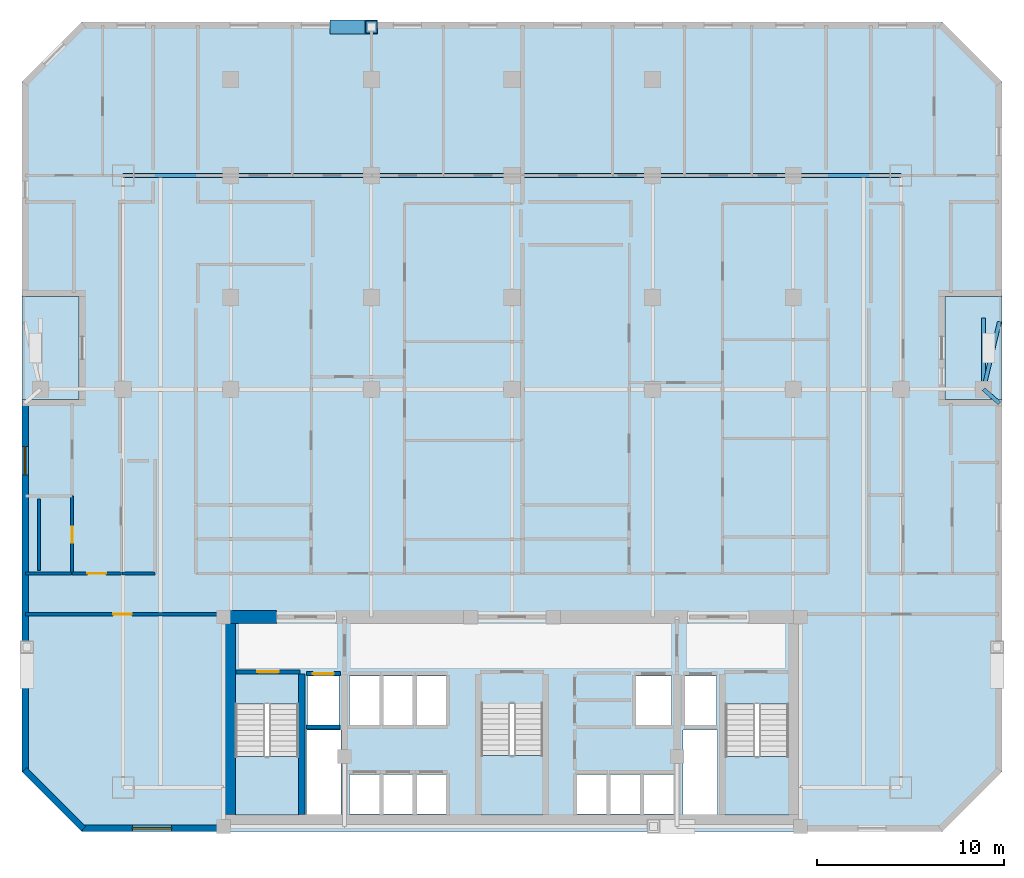
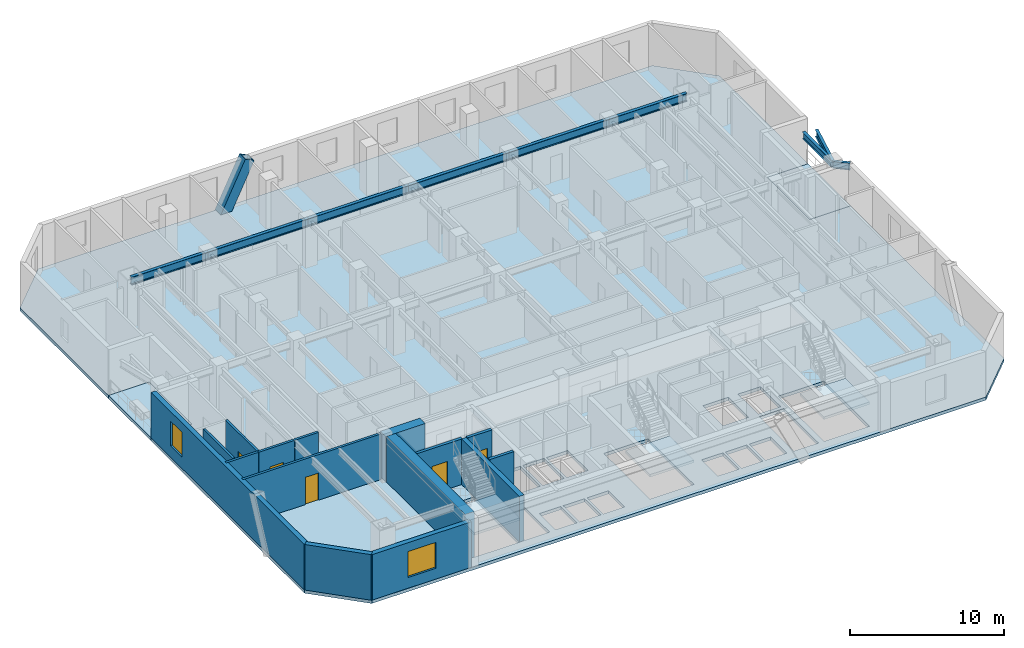
# One storey, part 2 of 10: 15 walls, 9 beams, 6 slabs, 5 doors, 2 windows, 1 member, 7 openings, 3 elements without a shape of their own.
"""IFC4 building model written with IfcOpenShell, lengths in metres."""

from ifc_helpers import new_model, si_unit, direction, frame, frame_2d, origin, origin_2d, place, context, subcontext, project, spatial, polyline, rectangle, hollow_rectangle, i_section, outline, extrude, material, layer, layer_set, material_profile, profile_set, type_object, element, fill, aggregate, save


model = new_model("IFC4")

# Units and contexts
model_context = context("Model", 3, precision=1e-05, world=origin(), true_north=direction((0.0, 1.0)))
body_context = subcontext(model_context, "Body", "Model", "MODEL_VIEW")
ifc_project = project(units=[si_unit("LENGTHUNIT", "METRE"), si_unit("AREAUNIT", "SQUARE_METRE"), si_unit("VOLUMEUNIT", "CUBIC_METRE"), si_unit("PLANEANGLEUNIT", "RADIAN"), si_unit("MASSUNIT", "GRAM", prefix="KILO")], contexts=[model_context])

# Site, building, storey
site_placement = place(None, origin())
site = spatial("IfcSite", under=ifc_project, at=site_placement, CompositionType="ELEMENT")
building_placement = place(site_placement, origin())
building = spatial("IfcBuilding", under=site, at=building_placement, Name="Ventersveld Concourse Tower", CompositionType="ELEMENT")
storey_placement = place(building_placement, frame((0.0, 0.0, 104.14990234375)))
storey = spatial("IfcBuildingStorey", under=building, at=storey_placement, Name="L25", CompositionType="ELEMENT", Elevation=104.14990234375)

# Beams
ifc_material_1 = material(Name="Structural steel S355J2", Category="steel")
ifc_material_profile_1 = material_profile(ifc_material_1, i_section(OverallWidth=0.230224609375, OverallDepth=0.6171875, WebThickness=0.01318359375, FlangeThickness=0.022216796875, FilletRadius=0.0126953125, at=origin_2d()), Name="UB 610x229x140")
ifc_profile_set_1 = profile_set([ifc_material_profile_1], Name="Structural steel S355J2")
beam_type_1 = type_object("IfcBeamType", Name="GRD-UB610", PredefinedType="USERDEFINED", material=ifc_profile_set_1)
beam_1_placement = place(storey_placement, frame((8.0, 35.0, 3.29150390625), z_axis=(1.0, 0.0, 0.0), x_axis=(0.0, 1.0, 0.0)))
element("IfcBeam", 1, at=beam_1_placement, inside=storey, type_object=beam_type_1, Name="L25 E-W Grid Girder Y=35.00 #1", ObjectType="GIRDER", PredefinedType="USERDEFINED", context=body_context, shape_type="SweptSolid", body=[
    extrude(i_section(OverallWidth=0.230224609375, OverallDepth=0.6171875, WebThickness=0.01318359375, FlangeThickness=0.022216796875, FilletRadius=0.0126953125, at=origin_2d()), origin(), (0.0, 0.0, 1.0), 5.75),
])
for number, where, z_axis, x_axis, name in (
    (2, (13.75, 35.0, 3.29150390625), (1.0, 0.0, 0.0), (0.0, 1.0, 0.0), "L25 E-W Grid Girder Y=35.00 #2"),
    (3, (21.25, 35.0, 3.29150390625), (1.0, 0.0, 0.0), (0.0, 1.0, 0.0), "L25 E-W Grid Girder Y=35.00 #3"),
    (4, (28.75, 35.0, 3.29150390625), (1.0, 0.0, 0.0), (0.0, 1.0, 0.0), "L25 E-W Grid Girder Y=35.00 #4"),
    (5, (36.25, 35.0, 3.29150390625), (1.0, 0.0, 0.0), (0.0, 1.0, 0.0), "L25 E-W Grid Girder Y=35.00 #5"),
):
    element("IfcBeam", number, at=place(storey_placement, frame(where, z_axis=z_axis, x_axis=x_axis)), inside=storey, type_object=beam_type_1, Name=name, ObjectType="GIRDER", PredefinedType="USERDEFINED", context=body_context, shape_type="SweptSolid", body=[
        extrude(i_section(OverallWidth=0.230224609375, OverallDepth=0.6171875, WebThickness=0.01318359375, FlangeThickness=0.022216796875, FilletRadius=0.0126953125, at=origin_2d()), origin(), (0.0, 0.0, 1.0), 7.5),
    ])
beam_2_placement = place(storey_placement, frame((43.75, 35.0, 3.29150390625), z_axis=(1.0, 0.0, 0.0), x_axis=(0.0, 1.0, 0.0)))
element("IfcBeam", 6, at=beam_2_placement, inside=storey, type_object=beam_type_1, Name="L25 E-W Grid Girder Y=35.00 #6", ObjectType="GIRDER", PredefinedType="USERDEFINED", context=body_context, shape_type="SweptSolid", body=[
    extrude(i_section(OverallWidth=0.230224609375, OverallDepth=0.6171875, WebThickness=0.01318359375, FlangeThickness=0.022216796875, FilletRadius=0.0126953125, at=origin_2d()), origin(), (0.0, 0.0, 1.0), 5.75),
])

# Member
ifc_material_2 = material(Name="Structural steel S355ML", Category="steel")
ifc_material_profile_2 = material_profile(ifc_material_2, hollow_rectangle(XDim=0.75, YDim=0.75, WallThickness=0.044921875, at=origin_2d()), Name="BOX 750x750x45")
ifc_profile_set_2 = profile_set([ifc_material_profile_2], Name="Structural steel S355ML")
member_type = type_object("IfcMemberType", Name="MB-750x750", PredefinedType="BRACE", material=ifc_profile_set_2)
member_placement = place(storey_placement, frame((19.375, 42.919921875, -0.25), z_axis=(0.437839464193, 0.0, 0.899053170616), x_axis=(0.0, 1.0, 0.0)))
element("IfcMember", 7, at=member_placement, inside=storey, type_object=member_type, Name="L25 Exterior Mega-Brace N (Module M05)", PredefinedType="BRACE", context=body_context, shape_type="SweptSolid", body=[
    extrude(hollow_rectangle(XDim=0.75, YDim=0.75, WallThickness=0.044921875, at=origin_2d()), origin(), (0.0, 0.0, 1.0), 4.282470703125),
])

# Beams
ifc_material_profile_3 = material_profile(ifc_material_1, i_section(OverallWidth=0.2119140625, OverallDepth=0.54443359375, WebThickness=0.0126953125, FlangeThickness=0.021240234375, FilletRadius=0.0126953125, at=origin_2d()), Name="UB 533x210x122")
ifc_profile_set_3 = profile_set([ifc_material_profile_3], Name="Structural steel S355J2")
beam_type_2 = type_object("IfcBeamType", Name="SPD-UB533", PredefinedType="SPANDREL", material=ifc_profile_set_3)
beam_3_placement = place(storey_placement, frame((53.89990234375, 23.60009765625, 3.327880859375), z_axis=(0.0, 1.0, 0.0), x_axis=(-1.0, 0.0, 0.0)))
element("IfcBeam", 8, at=beam_3_placement, inside=storey, type_object=beam_type_2, Name="L25 East Valley Spine Girder", PredefinedType="SPANDREL", context=body_context, shape_type="SweptSolid", body=[
    extrude(i_section(OverallWidth=0.2119140625, OverallDepth=0.54443359375, WebThickness=0.0126953125, FlangeThickness=0.021240234375, FilletRadius=0.0126953125, at=origin_2d()), origin(), (0.0, 0.0, 1.0), 3.7998046875),
])
beam_4_placement = place(storey_placement, frame((53.89990234375, 23.60009765625, 3.327880859375), z_axis=(0.749875562697, -0.661578899656, 0.0), x_axis=(0.661578899656, 0.749875562697, 0.0)))
element("IfcBeam", 9, at=beam_4_placement, inside=storey, type_object=beam_type_2, Name="L25 East Valley Corner Bracket 1", PredefinedType="SPANDREL", context=body_context, shape_type="SweptSolid", body=[
    extrude(i_section(OverallWidth=0.2119140625, OverallDepth=0.54443359375, WebThickness=0.0126953125, FlangeThickness=0.021240234375, FilletRadius=0.0126953125, at=origin_2d()), origin(), (0.0, 0.0, 1.0), 1.133544921875),
])
beam_5_placement = place(storey_placement, frame((53.89990234375, 23.60009765625, 3.327880859375), z_axis=(0.229826547993, 0.973231605445, 0.0), x_axis=(-0.973231605445, 0.229826547993, 0.0)))
element("IfcBeam", 10, at=beam_5_placement, inside=storey, type_object=beam_type_2, Name="L25 East Valley Corner Bracket 2", PredefinedType="SPANDREL", context=body_context, shape_type="SweptSolid", body=[
    extrude(i_section(OverallWidth=0.2119140625, OverallDepth=0.54443359375, WebThickness=0.0126953125, FlangeThickness=0.021240234375, FilletRadius=0.0126953125, at=origin_2d()), origin(), (0.0, 0.0, 1.0), 3.698974609375),
])

# Slabs
ifc_material_3 = material(Name="Concrete C50/60", Category="concrete")
ifc_layer_1 = layer(ifc_material_3, 0.25)
ifc_layer_set_1 = layer_set([ifc_layer_1], Name="Concrete C50/60")
slab_type_1 = type_object("IfcSlabType", Name="SL-FLR-250", PredefinedType="FLOOR", material=ifc_layer_set_1)
slab_1_placement = place(storey_placement, frame((0.0, 0.0, -0.25)))
element("IfcSlab", 11, at=slab_1_placement, inside=storey, type_object=slab_type_1, Name="L25 Composite Floor Slab", PredefinedType="FLOOR", context=body_context, shape_type="SweptSolid", body=[
    extrude(outline(polyline([(5.800048828125, 0.0), (51.699951171875, 0.0), (54.89990234375, 3.199951171875), (54.89990234375, 23.050048828125), (51.85009765625, 23.050048828125), (51.85009765625, 28.550048828125), (54.89990234375, 28.550048828125), (54.89990234375, 40.0), (51.699951171875, 43.199951171875), (5.800048828125, 43.199951171875), (2.60009765625, 40.0), (2.60009765625, 28.550048828125), (5.64990234375, 28.550048828125), (5.64990234375, 23.050048828125), (2.60009765625, 23.050048828125), (2.60009765625, 3.199951171875), (5.800048828125, 0.0)]), holes=[polyline([(13.97998046875, 6.794921875), (13.97998046875, 0.89990234375), (17.3798828125, 0.89990234375), (17.3798828125, 6.794921875), (13.97998046875, 6.794921875)]), polyline([(40.1201171875, 6.794921875), (40.1201171875, 0.89990234375), (43.52001953125, 0.89990234375), (43.52001953125, 6.794921875), (40.1201171875, 6.794921875)]), polyline([(27.10009765625, 6.844970703125), (27.10009765625, 0.89990234375), (30.39990234375, 0.89990234375), (30.39990234375, 6.844970703125), (27.10009765625, 6.844970703125)]), polyline([(17.85009765625, 5.699951171875), (19.530029296875, 5.699951171875), (19.530029296875, 8.300048828125), (17.85009765625, 8.300048828125), (17.85009765625, 5.699951171875)]), polyline([(37.969970703125, 5.699951171875), (39.64990234375, 5.699951171875), (39.64990234375, 8.300048828125), (37.969970703125, 8.300048828125), (37.969970703125, 5.699951171875)]), polyline([(35.35009765625, 5.699951171875), (37.25, 5.699951171875), (37.25, 8.300048828125), (35.35009765625, 8.300048828125), (35.35009765625, 5.699951171875)]), polyline([(20.090087890625, 0.949951171875), (21.68994140625, 0.949951171875), (21.68994140625, 3.050048828125), (20.090087890625, 3.050048828125), (20.090087890625, 0.949951171875)]), polyline([(21.8701171875, 0.949951171875), (23.469970703125, 0.949951171875), (23.469970703125, 3.050048828125), (21.8701171875, 3.050048828125), (21.8701171875, 0.949951171875)]), polyline([(23.64990234375, 0.949951171875), (25.25, 0.949951171875), (25.25, 3.050048828125), (23.64990234375, 3.050048828125), (23.64990234375, 0.949951171875)]), polyline([(32.2099609375, 0.949951171875), (33.81005859375, 0.949951171875), (33.81005859375, 3.050048828125), (32.2099609375, 3.050048828125), (32.2099609375, 0.949951171875)]), polyline([(33.989990234375, 0.949951171875), (35.590087890625, 0.949951171875), (35.590087890625, 3.050048828125), (33.989990234375, 3.050048828125), (33.989990234375, 0.949951171875)]), polyline([(35.77001953125, 0.949951171875), (37.3701171875, 0.949951171875), (37.3701171875, 3.050048828125), (35.77001953125, 3.050048828125), (35.77001953125, 0.949951171875)]), polyline([(20.090087890625, 5.699951171875), (21.68994140625, 5.699951171875), (21.68994140625, 8.300048828125), (20.090087890625, 8.300048828125), (20.090087890625, 5.699951171875)]), polyline([(21.8701171875, 5.699951171875), (23.469970703125, 5.699951171875), (23.469970703125, 8.300048828125), (21.8701171875, 8.300048828125), (21.8701171875, 5.699951171875)]), polyline([(23.64990234375, 5.699951171875), (25.25, 5.699951171875), (25.25, 8.300048828125), (23.64990234375, 8.300048828125), (23.64990234375, 5.699951171875)]), polyline([(17.780029296875, 0.919921875), (19.6201171875, 0.919921875), (19.6201171875, 5.419921875), (17.780029296875, 5.419921875), (17.780029296875, 0.919921875)]), polyline([(37.8798828125, 0.919921875), (39.719970703125, 0.919921875), (39.719970703125, 5.419921875), (37.8798828125, 5.419921875), (37.8798828125, 0.919921875)])]), origin(), (0.0, 0.0, 1.0), 0.25),
])
slab_2_placement = place(storey_placement, frame((0.0, 0.0, -0.25)))
element("IfcSlab", 12, at=slab_2_placement, inside=storey, type_object=slab_type_1, Name="L25 Outdoor Terrace Slab NOTCH-W", PredefinedType="FLOOR", context=body_context, shape_type="SweptSolid", body=[
    extrude(outline(polyline([(2.60009765625, 23.050048828125), (5.64990234375, 23.050048828125), (5.64990234375, 28.550048828125), (2.60009765625, 28.550048828125), (2.60009765625, 23.050048828125)])), origin(), (0.0, 0.0, 1.0), 0.25),
])
slab_3_placement = place(storey_placement, frame((0.0, 0.0, -0.25)))
element("IfcSlab", 13, at=slab_3_placement, inside=storey, type_object=slab_type_1, Name="L25 Outdoor Terrace Slab NOTCH-E", PredefinedType="FLOOR", context=body_context, shape_type="SweptSolid", body=[
    extrude(outline(polyline([(51.85009765625, 23.050048828125), (54.89990234375, 23.050048828125), (54.89990234375, 28.550048828125), (51.85009765625, 28.550048828125), (51.85009765625, 23.050048828125)])), origin(), (0.0, 0.0, 1.0), 0.25),
])

# Stair, slab
stair_type_1 = type_object("IfcStairType", Name="ST-DOG-160", PredefinedType="HALF_TURN_STAIR", material=ifc_material_3)
stair_1_placement = place(storey_placement, origin())
stair_1 = element("IfcStair", 14, at=stair_1_placement, inside=storey, type_object=stair_type_1, Name="L25 Protected Tower Escape Stair ST-01", PredefinedType="HALF_TURN_STAIR")
ifc_layer_2 = layer(ifc_material_3, 0.199951171875)
ifc_layer_set_2 = layer_set([ifc_layer_2], Name="Concrete C50/60")
slab_type_2 = type_object("IfcSlabType", Name="SL-LND-200", PredefinedType="LANDING", material=ifc_layer_set_2)
slab_4_placement = place(storey_placement, frame((0.0, 0.0, 1.72509765625)))
slab_4 = element("IfcSlab", 15, at=slab_4_placement, type_object=slab_type_2, Name="ST-01 landing 1", PredefinedType="LANDING", context=body_context, shape_type="SweptSolid", body=[
    extrude(outline(polyline([(13.97998046875, 4.0), (13.97998046875, 0.89990234375), (17.3798828125, 0.89990234375), (17.3798828125, 4.0), (13.97998046875, 4.0)])), origin(), (0.0, 0.0, 1.0), 0.199951171875),
])
aggregate(stair_1, [slab_4])

stair_2_placement = place(storey_placement, origin())
stair_2 = element("IfcStair", 16, at=stair_2_placement, inside=storey, type_object=stair_type_1, Name="L25 Protected Tower Escape Stair ST-02", PredefinedType="HALF_TURN_STAIR")
slab_5_placement = place(storey_placement, frame((0.0, 0.0, 1.72509765625)))
slab_5 = element("IfcSlab", 17, at=slab_5_placement, type_object=slab_type_2, Name="ST-02 landing 1", PredefinedType="LANDING", context=body_context, shape_type="SweptSolid", body=[
    extrude(outline(polyline([(40.1201171875, 4.0), (40.1201171875, 0.89990234375), (43.52001953125, 0.89990234375), (43.52001953125, 4.0), (40.1201171875, 4.0)])), origin(), (0.0, 0.0, 1.0), 0.199951171875),
])
aggregate(stair_2, [slab_5])

stair_type_2 = type_object("IfcStairType", Name="ST-DOG-155", PredefinedType="HALF_TURN_STAIR", material=ifc_material_3)
stair_3_placement = place(storey_placement, origin())
stair_3 = element("IfcStair", 18, at=stair_3_placement, inside=storey, type_object=stair_type_2, Name="L25 Protected Central Core Escape Stair ST-03", PredefinedType="HALF_TURN_STAIR")
slab_6_placement = place(storey_placement, frame((0.0, 0.0, 1.72509765625)))
slab_6 = element("IfcSlab", 19, at=slab_6_placement, type_object=slab_type_2, Name="ST-03 landing 1", PredefinedType="LANDING", context=body_context, shape_type="SweptSolid", body=[
    extrude(outline(polyline([(27.10009765625, 4.050048828125), (27.10009765625, 0.89990234375), (30.39990234375, 0.89990234375), (30.39990234375, 4.050048828125), (27.10009765625, 4.050048828125)])), origin(), (0.0, 0.0, 1.0), 0.199951171875),
])
aggregate(stair_3, [slab_6])

# Walls
ifc_material_4 = material(Name="Concrete C60/75", Category="concrete")
ifc_layer_3 = layer(ifc_material_4, 0.35009765625)
ifc_layer_set_3 = layer_set([ifc_layer_3], Name="Concrete C60/75")
wall_type_1 = type_object("IfcWallType", Name="WL-CORE-350L", PredefinedType="SHEAR", material=ifc_layer_set_3)
wall_1_placement = place(storey_placement, frame((17.5400390625, 0.919921875, 0.0), z_axis=(0.0, 0.0, 1.0), x_axis=(0.0, 1.0, 0.0)))
element("IfcWall", 20, at=wall_1_placement, inside=storey, type_object=wall_type_1, Name="L25 Core Internal Shear Web W-ST1-E", PredefinedType="SHEAR", context=body_context, shape_type="SweptSolid", body=[
    extrude(rectangle(XDim=7.5, YDim=0.35009765625, at=frame_2d((3.75, 0.0))), origin(), (0.0, 0.0, 1.0), 3.60009765625),
])
ifc_layer_4 = layer(ifc_material_4, 0.699951171875)
ifc_layer_set_4 = layer_set([ifc_layer_4], Name="Concrete C60/75")
wall_type_2 = type_object("IfcWallType", Name="WL-CORE-700", PredefinedType="SHEAR", material=ifc_layer_set_4)
wall_2_placement = place(storey_placement, frame((13.64990234375, 0.919921875, 0.0), z_axis=(0.0, 0.0, 1.0), x_axis=(0.0, 1.0, 0.0)))
element("IfcWall", 21, at=wall_2_placement, inside=storey, type_object=wall_type_2, Name="L25 Rear Core West Shear Wall", PredefinedType="SHEAR", context=body_context, shape_type="SweptSolid", body=[
    extrude(rectangle(XDim=10.530029296875, YDim=0.699951171875, at=frame_2d((5.26513671875, 0.0))), origin(), (0.0, 0.0, 1.0), 3.60009765625),
])
wall_3_placement = place(storey_placement, frame((13.25, 11.449951171875, 0.0), z_axis=(0.0, 0.0, 1.0), x_axis=(1.0, 0.0, 0.0)))
element("IfcWall", 22, at=wall_3_placement, inside=storey, type_object=wall_type_2, Name="L25 Rear Core North Shear Wall NW", PredefinedType="SHEAR", context=body_context, shape_type="SweptSolid", body=[
    extrude(rectangle(XDim=2.949951171875, YDim=0.699951171875, at=frame_2d((1.47509765625, 0.0))), origin(), (0.0, 0.0, 1.0), 3.60009765625),
])

# Wall, opening, door
ifc_material_5 = material(Name="Fire-rated autoclaved aerated masonry blockwork", Category="masonry")
ifc_layer_5 = layer(ifc_material_5, 0.179931640625)
ifc_layer_set_5 = layer_set([ifc_layer_5], Name="Fire-rated autoclaved aerated masonry blockwork")
wall_type_3 = type_object("IfcWallType", Name="WL-CORR-180", PredefinedType="PARTITIONING", material=ifc_layer_set_5)
wall_4_placement = place(storey_placement, frame((2.81005859375, 11.60009765625, 0.0), z_axis=(0.0, 0.0, 1.0), x_axis=(1.0, 0.0, 0.0)))
wall_4 = element("IfcWall", 23, at=wall_4_placement, inside=storey, type_object=wall_type_3, Name="L25 Interior Partition SP-L25-SW-GAL-SP-L25-COR", PredefinedType="PARTITIONING", context=body_context, shape_type="SweptSolid", body=[
    extrude(rectangle(XDim=10.3349609375, YDim=0.179931640625, at=frame_2d((5.16748046875, 0.0))), origin(), (0.0, 0.0, 1.0), 3.60009765625),
])
opening_1_placement = place(wall_4_placement, frame((4.66748046875, 0.0, 0.0)))
opening_1 = element("IfcOpeningElement", 24, at=opening_1_placement, cuts=wall_4, Name="Opening FD3", PredefinedType="OPENING", context=body_context, shape_type="SweptSolid", body=[
    extrude(rectangle(XDim=1.0, YDim=2.14990234375, at=frame_2d((0.5, 1.074951171875))), frame((0.0, 0.10009765625, 0.0), z_axis=(0.0, -1.0, 0.0), x_axis=(1.0, 0.0, 0.0)), (0.0, 0.0, 1.0), 0.199951171875),
])
ifc_material_6 = material(Name="Solid-core hardwood veneer timber", Category="wood")
door_type_1 = type_object("IfcDoorType", Name="DR-FLAT-100", OperationType="NOTDEFINED", PredefinedType="DOOR", material=ifc_material_6)
door_1_placement = place(opening_1_placement, origin())
door_1 = element("IfcDoor", 25, at=door_1_placement, inside=storey, type_object=door_type_1, Name="L25 Interior Door SP-L25-SW-GAL to SP-L25-COR (D-L25-1220)", OperationType="SINGLE_SWING_RIGHT", OverallHeight=2.14990234375, OverallWidth=1.0, PredefinedType="DOOR", context=body_context, shape_type="SweptSolid", body=[
    extrude(rectangle(XDim=1.0, YDim=2.14990234375, at=frame_2d((0.5, 1.074951171875))), frame((0.0, 0.02490234375, 0.0), z_axis=(0.0, -1.0, 0.0), x_axis=(1.0, 0.0, 0.0)), (0.0, 0.0, 1.0), 0.050048828125),
])
fill(opening_1, door_1)

wall_5_placement = place(storey_placement, frame((5.27734375, 13.77001953125, 0.0), z_axis=(0.0, 0.0, 1.0), x_axis=(1.0, 0.0, 0.0)))
wall_5 = element("IfcWall", 26, at=wall_5_placement, inside=storey, type_object=wall_type_3, Name="L25 Interior Partition SP-L25-COR-SP-L25-25NW-LIV", PredefinedType="PARTITIONING", context=body_context, shape_type="SweptSolid", body=[
    extrude(rectangle(XDim=2.635986328125, YDim=0.179931640625, at=frame_2d((1.31787109375, 0.0))), origin(), (0.0, 0.0, 1.0), 3.60009765625),
])
opening_2_placement = place(wall_5_placement, frame((0.818115234375, 0.0, 0.0)))
opening_2 = element("IfcOpeningElement", 27, at=opening_2_placement, cuts=wall_5, Name="Opening FD3", PredefinedType="OPENING", context=body_context, shape_type="SweptSolid", body=[
    extrude(rectangle(XDim=1.0, YDim=2.14990234375, at=frame_2d((0.5, 1.074951171875))), frame((0.0, 0.10009765625, 0.0), z_axis=(0.0, -1.0, 0.0), x_axis=(1.0, 0.0, 0.0)), (0.0, 0.0, 1.0), 0.199951171875),
])
door_2_placement = place(opening_2_placement, origin())
door_2 = element("IfcDoor", 28, at=door_2_placement, inside=storey, type_object=door_type_1, Name="L25 Interior Door SP-L25-COR to SP-L25-25NW-LIV (FD-L25-1222)", OperationType="SINGLE_SWING_RIGHT", OverallHeight=2.14990234375, OverallWidth=1.0, PredefinedType="DOOR", context=body_context, shape_type="SweptSolid", body=[
    extrude(rectangle(XDim=1.0, YDim=2.14990234375, at=frame_2d((0.5, 1.074951171875))), frame((0.0, 0.02490234375, 0.0), z_axis=(0.0, -1.0, 0.0), x_axis=(1.0, 0.0, 0.0)), (0.0, 0.0, 1.0), 0.050048828125),
])
fill(opening_2, door_2)

# Walls
wall_6_placement = place(storey_placement, frame((2.81005859375, 13.77001953125, 0.0), z_axis=(0.0, 0.0, 1.0), x_axis=(1.0, 0.0, 0.0)))
element("IfcWall", 29, at=wall_6_placement, inside=storey, type_object=wall_type_3, Name="L25 Interior Partition SP-L25-COR-SP-L25-25NW-BATH", PredefinedType="PARTITIONING", context=body_context, shape_type="SweptSolid", body=[
    extrude(rectangle(XDim=2.437255859375, YDim=0.179931640625, at=frame_2d((1.21875, 0.0))), origin(), (0.0, 0.0, 1.0), 3.60009765625),
])
wall_7_placement = place(storey_placement, frame((7.943359375, 13.77001953125, 0.0), z_axis=(0.0, 0.0, 1.0), x_axis=(1.0, 0.0, 0.0)))
element("IfcWall", 30, at=wall_7_placement, inside=storey, type_object=wall_type_3, Name="L25 Interior Partition SP-L25-COR-SP-L25-25NW-KIT", PredefinedType="PARTITIONING", context=body_context, shape_type="SweptSolid", body=[
    extrude(rectangle(XDim=1.771728515625, YDim=0.179931640625, at=frame_2d((0.8857421875, 0.0))), origin(), (0.0, 0.0, 1.0), 3.60009765625),
])
ifc_layer_6 = layer(ifc_material_5, 0.219970703125)
ifc_layer_set_6 = layer_set([ifc_layer_6], Name="Fire-rated autoclaved aerated masonry blockwork")
wall_type_4 = type_object("IfcWallType", Name="WL-HOIST-220", PredefinedType="SOLIDWALL", material=ifc_layer_set_6)
wall_8_placement = place(storey_placement, frame((17.800048828125, 5.590087890625, 0.0), z_axis=(0.0, 0.0, 1.0), x_axis=(1.0, 0.0, 0.0)))
element("IfcWall", 31, at=wall_8_placement, inside=storey, type_object=wall_type_4, Name="L25 Lift Hoistway Back Wall FFL-01", PredefinedType="SOLIDWALL", context=body_context, shape_type="SweptSolid", body=[
    extrude(rectangle(XDim=1.780029296875, YDim=0.219970703125, at=frame_2d((0.89013671875, 0.0))), origin(), (0.0, 0.0, 1.0), 3.60009765625),
])

# Wall, opening, door
wall_9_placement = place(storey_placement, frame((17.780029296875, 8.429931640625, 0.0), z_axis=(0.0, 0.0, 1.0), x_axis=(1.0, 0.0, 0.0)))
wall_9 = element("IfcWall", 32, at=wall_9_placement, inside=storey, type_object=wall_type_4, Name="L25 Lift Hoistway Front Wall FFL-01", PredefinedType="SOLIDWALL", context=body_context, shape_type="SweptSolid", body=[
    extrude(rectangle(XDim=1.820068359375, YDim=0.219970703125, at=frame_2d((0.91015625, 0.0))), origin(), (0.0, 0.0, 1.0), 3.60009765625),
])
opening_3_placement = place(wall_9_placement, frame((0.35009765625, 0.0, 0.0)))
opening_3 = element("IfcOpeningElement", 33, at=opening_3_placement, cuts=wall_9, Name="Opening LD1", PredefinedType="OPENING", context=body_context, shape_type="SweptSolid", body=[
    extrude(rectangle(XDim=1.1201171875, YDim=2.25, at=frame_2d((0.56005859375, 1.125))), frame((0.0, 0.1201171875, 0.0), z_axis=(0.0, -1.0, 0.0), x_axis=(1.0, 0.0, 0.0)), (0.0, 0.0, 1.0), 0.239990234375),
])
ifc_material_7 = material(Name="Brushed stainless steel 316", Category="steel")
door_type_2 = type_object("IfcDoorType", Name="LD-FF-112", OperationType="SLIDING_TO_LEFT", PredefinedType="DOOR", material=ifc_material_7)
door_3_placement = place(opening_3_placement, origin())
door_3 = element("IfcDoor", 34, at=door_3_placement, inside=storey, type_object=door_type_2, Name="L25 Lift landing door FFL-01 (LD-L25-FFL-01)", OperationType="SLIDING_TO_LEFT", OverallHeight=2.25, OverallWidth=1.1201171875, PredefinedType="DOOR", context=body_context, shape_type="SweptSolid", body=[
    extrude(rectangle(XDim=1.1201171875, YDim=2.25, at=frame_2d((0.56005859375, 1.125))), frame((0.0, 0.02490234375, 0.0), z_axis=(0.0, -1.0, 0.0), x_axis=(1.0, 0.0, 0.0)), (0.0, 0.0, 1.0), 0.050048828125),
])
fill(opening_3, door_3)

wall_10_placement = place(storey_placement, frame((14.0400390625, 8.52001953125, 0.0), z_axis=(0.0, 0.0, 1.0), x_axis=(1.0, 0.0, 0.0)))
wall_10 = element("IfcWall", 35, at=wall_10_placement, inside=storey, type_object=wall_type_4, Name="L25 Escape Stair ST01 Fire Wall", PredefinedType="SOLIDWALL", context=body_context, shape_type="SweptSolid", body=[
    extrude(rectangle(XDim=3.39990234375, YDim=0.219970703125, at=frame_2d((1.699951171875, 0.0))), origin(), (0.0, 0.0, 1.0), 3.60009765625),
])
opening_4_placement = place(wall_10_placement, frame((1.125, 0.0, 0.0)))
opening_4 = element("IfcOpeningElement", 36, at=opening_4_placement, cuts=wall_10, Name="Opening FD1", PredefinedType="OPENING", context=body_context, shape_type="SweptSolid", body=[
    extrude(rectangle(XDim=1.14990234375, YDim=2.199951171875, at=frame_2d((0.574951171875, 1.10009765625))), frame((0.0, 0.1201171875, 0.0), z_axis=(0.0, -1.0, 0.0), x_axis=(1.0, 0.0, 0.0)), (0.0, 0.0, 1.0), 0.239990234375),
])
ifc_material_8 = material(Name="Galvanised painted steel", Category="steel")
door_type_3 = type_object("IfcDoorType", Name="DR-STAIR-115", OperationType="NOTDEFINED", PredefinedType="DOOR", material=ifc_material_8)
door_4_placement = place(opening_4_placement, origin())
door_4 = element("IfcDoor", 37, at=door_4_placement, inside=storey, type_object=door_type_3, Name="L25 Escape Stair Door ST01 (SD-L25-1209)", OperationType="SINGLE_SWING_LEFT", OverallHeight=2.199951171875, OverallWidth=1.14990234375, PredefinedType="DOOR", context=body_context, shape_type="SweptSolid", body=[
    extrude(rectangle(XDim=1.14990234375, YDim=2.199951171875, at=frame_2d((0.574951171875, 1.10009765625))), frame((0.0, 0.02490234375, 0.0), z_axis=(0.0, -1.0, 0.0), x_axis=(1.0, 0.0, 0.0)), (0.0, 0.0, 1.0), 0.050048828125),
])
fill(opening_4, door_4)

# Wall, opening, window
ifc_material_9 = material(Name="Precast concrete C45/55", Category="concrete")
ifc_layer_7 = layer(ifc_material_9, 0.35009765625)
ifc_layer_set_7 = layer_set([ifc_layer_7], Name="Precast concrete C45/55")
wall_type_5 = type_object("IfcWallType", Name="WL-PREC-350", PredefinedType="SOLIDWALL", material=ifc_layer_set_7)
wall_11_placement = place(storey_placement, frame((5.840087890625, 0.179931640625, 0.0), z_axis=(0.0, 0.0, 1.0), x_axis=(1.0, 0.0, 0.0)))
wall_11 = element("IfcWall", 38, at=wall_11_placement, inside=storey, type_object=wall_type_5, Name="L25 South-West Flank Precast Wall", PredefinedType="SOLIDWALL", context=body_context, shape_type="SweptSolid", body=[
    extrude(rectangle(XDim=7.409912109375, YDim=0.35009765625, at=frame_2d((3.705078125, 0.0))), origin(), (0.0, 0.0, 1.0), 3.60009765625),
])
opening_5_placement = place(wall_11_placement, frame((2.655029296875, 0.0, 0.85009765625)))
opening_5 = element("IfcOpeningElement", 39, at=opening_5_placement, cuts=wall_11, Name="Opening W7", PredefinedType="OPENING", context=body_context, shape_type="SweptSolid", body=[
    extrude(rectangle(XDim=2.10009765625, YDim=2.050048828125, at=frame_2d((1.050048828125, 1.02490234375))), frame((0.0, 0.18505859375, 0.0), z_axis=(0.0, -1.0, 0.0), x_axis=(1.0, 0.0, 0.0)), (0.0, 0.0, 1.0), 0.3701171875),
])
ifc_material_10 = material(Name="Tempered acoustic Low-E IGU", Category="glass")
window_type_1 = type_object("IfcWindowType", Name="WIN-210x205", PartitioningType="SINGLE_PANEL", PredefinedType="WINDOW", material=ifc_material_10)
window_1_placement = place(opening_5_placement, origin())
window_1 = element("IfcWindow", 40, at=window_1_placement, inside=storey, type_object=window_type_1, Name="L25 Punched Low-E Window W-0287", OverallHeight=2.050048828125, OverallWidth=2.10009765625, PartitioningType="SINGLE_PANEL", PredefinedType="WINDOW", context=body_context, shape_type="SweptSolid", body=[
    extrude(rectangle(XDim=2.10009765625, YDim=2.050048828125, at=frame_2d((1.050048828125, 1.02490234375))), frame((0.0, 0.030029296875, 0.0), z_axis=(0.0, -1.0, 0.0), x_axis=(1.0, 0.0, 0.0)), (0.0, 0.0, 1.0), 0.06005859375),
])
fill(opening_5, window_1)

wall_12_placement = place(storey_placement, frame((2.77490234375, 23.010009765625, 0.0), z_axis=(0.0, 0.0, 1.0), x_axis=(0.0, -1.0, 0.0)))
wall_12 = element("IfcWall", 41, at=wall_12_placement, inside=storey, type_object=wall_type_5, Name="L25 Highveld Precast Facade Wall E15", PredefinedType="SOLIDWALL", context=body_context, shape_type="SweptSolid", body=[
    extrude(rectangle(XDim=19.77001953125, YDim=0.35009765625, at=frame_2d((9.885009765625, 0.0))), origin(), (0.0, 0.0, 1.0), 3.60009765625),
])
opening_6_placement = place(wall_12_placement, frame((2.474365234375, 0.0, 0.89990234375)))
opening_6 = element("IfcOpeningElement", 42, at=opening_6_placement, cuts=wall_12, Name="Opening W1", PredefinedType="OPENING", context=body_context, shape_type="SweptSolid", body=[
    extrude(rectangle(XDim=1.5, YDim=1.949951171875, at=frame_2d((0.75, 0.97509765625))), frame((0.0, 0.18505859375, 0.0), z_axis=(0.0, -1.0, 0.0), x_axis=(1.0, 0.0, 0.0)), (0.0, 0.0, 1.0), 0.3701171875),
])
window_type_2 = type_object("IfcWindowType", Name="WIN-150x210", PartitioningType="SINGLE_PANEL", PredefinedType="WINDOW", material=ifc_material_10)
window_2_placement = place(opening_6_placement, origin())
window_2 = element("IfcWindow", 43, at=window_2_placement, inside=storey, type_object=window_type_2, Name="L25 Punched Low-E Window W-0290", OverallHeight=1.949951171875, OverallWidth=1.5, PartitioningType="SINGLE_PANEL", PredefinedType="WINDOW", context=body_context, shape_type="SweptSolid", body=[
    extrude(rectangle(XDim=1.5, YDim=1.949951171875, at=frame_2d((0.75, 0.97509765625))), frame((0.0, 0.030029296875, 0.0), z_axis=(0.0, -1.0, 0.0), x_axis=(1.0, 0.0, 0.0)), (0.0, 0.0, 1.0), 0.06005859375),
])
fill(opening_6, window_2)

# Wall
wall_13_placement = place(storey_placement, frame((2.751953125, 3.29541015625, 0.0), z_axis=(0.0, 0.0, 1.0), x_axis=(0.707134240044, -0.707079321262, 0.0)))
element("IfcWall", 44, at=wall_13_placement, inside=storey, type_object=wall_type_5, Name="L25 Highveld Precast Facade Wall E16", PredefinedType="SOLIDWALL", context=body_context, shape_type="SweptSolid", body=[
    extrude(rectangle(XDim=4.445556640625, YDim=0.35009765625, at=frame_2d((2.22265625, 0.0))), origin(), (0.0, 0.0, 1.0), 3.60009765625),
])

# Wall, opening, door
ifc_material_11 = material(Name="Autoclaved aerated masonry blockwork", Category="masonry")
ifc_layer_8 = layer(ifc_material_11, 0.1650390625)
ifc_layer_set_8 = layer_set([ifc_layer_8], Name="Autoclaved aerated masonry blockwork")
wall_type_6 = type_object("IfcWallType", Name="WL-WET-165", PredefinedType="PLUMBINGWALL", material=ifc_layer_set_8)
wall_14_placement = place(storey_placement, frame((5.282470703125, 13.764892578125, 0.0), z_axis=(0.0, 0.0, 1.0), x_axis=(0.0, 1.0, 0.0)))
wall_14 = element("IfcWall", 45, at=wall_14_placement, inside=storey, type_object=wall_type_6, Name="L25 Interior Partition SP-L25-25NW-LIV-SP-L25-25NW-BATH", PredefinedType="PLUMBINGWALL", context=body_context, shape_type="SweptSolid", body=[
    extrude(rectangle(XDim=4.136474609375, YDim=0.1650390625, at=frame_2d((2.068359375, 0.0))), origin(), (0.0, 0.0, 1.0), 3.60009765625),
])
opening_7_placement = place(wall_14_placement, frame((1.643310546875, 0.0, 0.0)))
opening_7 = element("IfcOpeningElement", 46, at=opening_7_placement, cuts=wall_14, Name="Opening ID2", PredefinedType="OPENING", context=body_context, shape_type="SweptSolid", body=[
    extrude(rectangle(XDim=0.85009765625, YDim=2.10009765625, at=frame_2d((0.425048828125, 1.050048828125))), frame((0.0, 0.092529296875, 0.0), z_axis=(0.0, -1.0, 0.0), x_axis=(1.0, 0.0, 0.0)), (0.0, 0.0, 1.0), 0.18505859375),
])
door_type_4 = type_object("IfcDoorType", Name="DR-BATH-085", OperationType="NOTDEFINED", PredefinedType="DOOR", material=ifc_material_6)
door_5_placement = place(opening_7_placement, origin())
door_5 = element("IfcDoor", 47, at=door_5_placement, inside=storey, type_object=door_type_4, Name="L25 Interior Door SP-L25-25NW-LIV to SP-L25-25NW-BATH (D-L25-1226)", OperationType="SINGLE_SWING_RIGHT", OverallHeight=2.10009765625, OverallWidth=0.85009765625, PredefinedType="DOOR", context=body_context, shape_type="SweptSolid", body=[
    extrude(rectangle(XDim=0.85009765625, YDim=2.10009765625, at=frame_2d((0.425048828125, 1.050048828125))), frame((0.0, 0.02490234375, 0.0), z_axis=(0.0, -1.0, 0.0), x_axis=(1.0, 0.0, 0.0)), (0.0, 0.0, 1.0), 0.050048828125),
])
fill(opening_7, door_5)

# Wall
wall_15_placement = place(storey_placement, frame((3.52001953125, 13.93505859375, 0.0), z_axis=(0.0, 0.0, 1.0), x_axis=(0.0, 1.0, 0.0)))
element("IfcWall", 48, at=wall_15_placement, inside=storey, type_object=wall_type_6, Name="L25 Room Enclosure Wall SP-L25-25NW-BATH", PredefinedType="PLUMBINGWALL", context=body_context, shape_type="SweptSolid", body=[
    extrude(rectangle(XDim=3.79638671875, YDim=0.1650390625, at=frame_2d((1.898193359375, 0.0))), origin(), (0.0, 0.0, 1.0), 3.60009765625),
])

save(model, "model.ifc")
